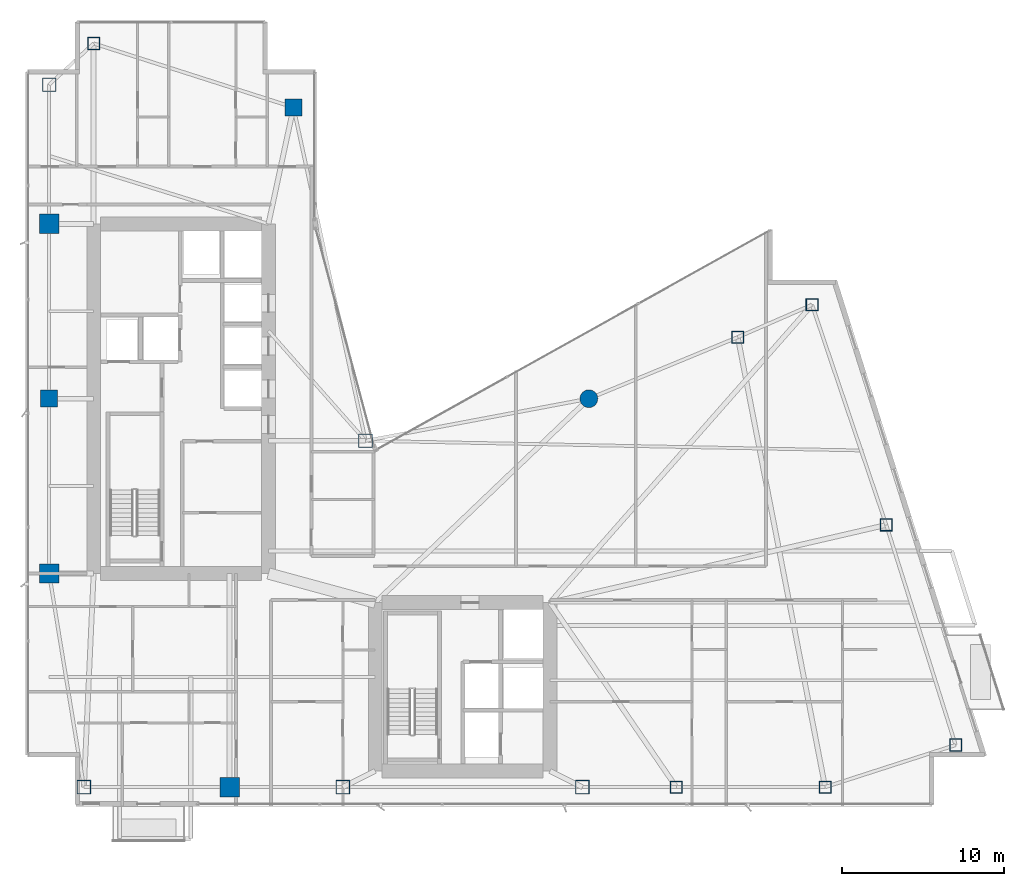
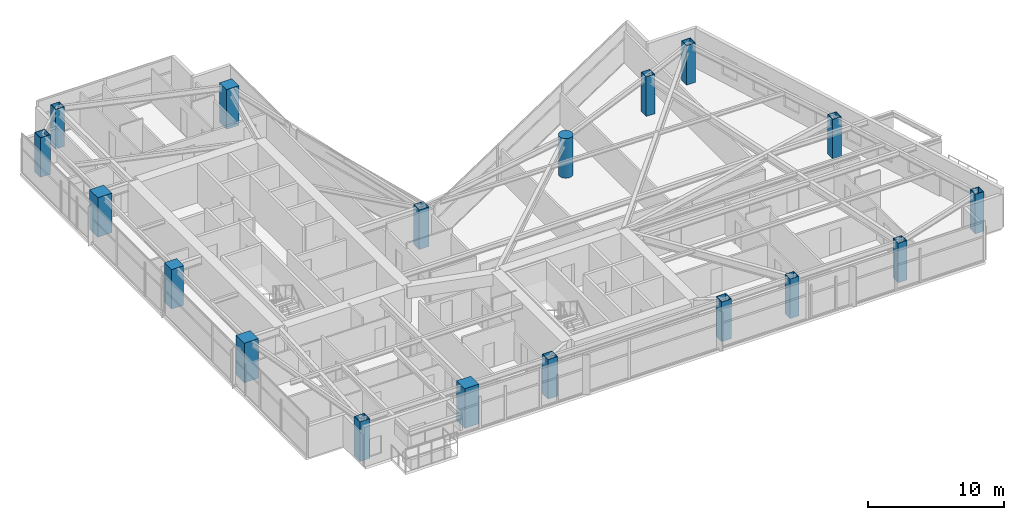
# One storey, part 1 of 28: 18 columns.
"""IFC4 building model written with IfcOpenShell, lengths in metres."""

from ifc_helpers import new_model, si_unit, direction, frame, origin, origin_2d, place, context, subcontext, project, spatial, rectangle, hollow_rectangle, circle, extrude, material, material_profile, profile_set, type_object, element, save


model = new_model("IFC4")

# Units and contexts
model_context = context("Model", 3, precision=1e-05, world=origin(), true_north=direction((0.0, 1.0)))
body_context = subcontext(model_context, "Body", "Model", "MODEL_VIEW")
ifc_project = project(units=[si_unit("LENGTHUNIT", "METRE"), si_unit("AREAUNIT", "SQUARE_METRE"), si_unit("VOLUMEUNIT", "CUBIC_METRE"), si_unit("PLANEANGLEUNIT", "RADIAN"), si_unit("MASSUNIT", "GRAM", prefix="KILO")], contexts=[model_context])

# Site, building, storey
site_placement = place(None, origin())
site = spatial("IfcSite", under=ifc_project, at=site_placement, CompositionType="ELEMENT")
building_placement = place(site_placement, origin())
building = spatial("IfcBuilding", under=site, at=building_placement, Name="Calvorn Quay Hotel", CompositionType="ELEMENT")
storey_placement = place(building_placement, frame((0.0, 0.0, 101.199951171875)))
storey = spatial("IfcBuildingStorey", under=building, at=storey_placement, Name="L24", CompositionType="ELEMENT", Elevation=101.199951171875)

# Columns
ifc_material_1 = material(Name="Concrete C50", Category="concrete")
ifc_material_profile_1 = material_profile(ifc_material_1, rectangle(XDim=1.050048828125, YDim=1.050048828125, at=origin_2d()), Name="RC1050x1050")
ifc_profile_set_1 = profile_set([ifc_material_profile_1], Name="Concrete C50")
column_type_1 = type_object("IfcColumnType", Name="COL-RC-1050", PredefinedType="COLUMN", material=ifc_profile_set_1)
for number, where, z_axis, x_axis, name in (
    (1, (1.449951171875, 27.60009765625, 0.0), (0.0, 0.0, 1.0), (1.0, 0.0, 0.0), "Column C-W3 (L24)"),
    (2, (16.550048828125, 45.60009765625, 0.0), (0.0, 0.0, 1.0), (1.0, 0.0, 0.0), "Column C-IC1 (L24)"),
):
    element("IfcColumn", number, at=place(storey_placement, frame(where, z_axis=z_axis, x_axis=x_axis)), inside=storey, type_object=column_type_1, Name=name, PredefinedType="COLUMN", context=body_context, shape_type="SweptSolid", body=[
        extrude(rectangle(XDim=1.050048828125, YDim=1.050048828125, at=origin_2d()), origin(), (0.0, 0.0, 1.0), 3.56005859375),
    ])
ifc_material_2 = material(Name="Concrete C50", Category="concrete")
ifc_material_profile_2 = material_profile(ifc_material_2, rectangle(XDim=1.199951171875, YDim=1.199951171875, at=origin_2d()), Name="RC1200x1200")
ifc_profile_set_2 = profile_set([ifc_material_profile_2], Name="Concrete C50")
column_type_2 = type_object("IfcColumnType", Name="COL-RC-1200", PredefinedType="COLUMN", material=ifc_profile_set_2)
for number, where, z_axis, x_axis, name in (
    (3, (1.449951171875, 16.800048828125, 0.0), (0.0, 0.0, 1.0), (1.0, 0.0, 0.0), "Column C-W2 (L24)"),
    (4, (1.449951171875, 38.39990234375, 0.0), (0.0, 0.0, 1.0), (1.0, 0.0, 0.0), "Column C-W4 (L24)"),
    (5, (12.60009765625, 3.60009765625, 0.0), (0.0, 0.0, 1.0), (1.0, 0.0, 0.0), "Column C-S1 (L24)"),
):
    element("IfcColumn", number, at=place(storey_placement, frame(where, z_axis=z_axis, x_axis=x_axis)), inside=storey, type_object=column_type_2, Name=name, PredefinedType="COLUMN", context=body_context, shape_type="SweptSolid", body=[
        extrude(rectangle(XDim=1.199951171875, YDim=1.199951171875, at=origin_2d()), origin(), (0.0, 0.0, 1.0), 3.56005859375),
    ])
ifc_material_3 = material(Name="Concrete C50", Category="concrete")
ifc_material_profile_3 = material_profile(ifc_material_3, circle(Radius=0.550048828125, at=origin_2d()), Name="RCD1100")
ifc_profile_set_3 = profile_set([ifc_material_profile_3], Name="Concrete C50")
column_type_3 = type_object("IfcColumnType", Name="COL-RC-D1100", PredefinedType="COLUMN", material=ifc_profile_set_3)
column_placement = place(storey_placement, frame((34.800048828125, 27.60009765625, 0.0), z_axis=(0.0, 0.0, 1.0), x_axis=(1.0, 0.0, 0.0)))
element("IfcColumn", 6, at=column_placement, inside=storey, type_object=column_type_3, Name="Column C-NC1 (L24)", PredefinedType="COLUMN", context=body_context, shape_type="SweptSolid", body=[
    extrude(circle(Radius=0.550048828125, at=origin_2d()), origin(), (0.0, 0.0, 1.0), 3.56005859375),
])
ifc_material_4 = material(Name="Steel Q390GJC", Category="steel")
ifc_material_profile_4 = material_profile(ifc_material_4, hollow_rectangle(XDim=0.85009765625, YDim=0.85009765625, WallThickness=0.035888671875, at=origin_2d()), Name="BOX850x850x36")
ifc_profile_set_4 = profile_set([ifc_material_profile_4], Name="Steel Q390GJC")
column_type_4 = type_object("IfcColumnType", Name="COL-STL-Z2", PredefinedType="COLUMN", material=ifc_profile_set_4)
for number, where, z_axis, x_axis, name in (
    (7, (3.60009765625, 3.60009765625, 0.0), (0.0, 0.0, 1.0), (1.0, 0.0, 0.0), "Column C-W1 (L24)"),
    (8, (1.449951171875, 47.0, 0.0), (0.0, 0.0, 1.0), (1.0, 0.0, 0.0), "Column C-W5 (L24)"),
    (9, (21.0, 25.0, 0.0), (0.0, 0.0, 1.0), (1.0, 0.0, 0.0), "Column C-IC2 (L24)"),
    (10, (19.60009765625, 3.60009765625, 0.0), (0.0, 0.0, 1.0), (1.0, 0.0, 0.0), "Column C-S2 (L24)"),
    (11, (34.39990234375, 3.60009765625, 0.0), (0.0, 0.0, 1.0), (1.0, 0.0, 0.0), "Column C-S3 (L24)"),
):
    element("IfcColumn", number, at=place(storey_placement, frame(where, z_axis=z_axis, x_axis=x_axis)), inside=storey, type_object=column_type_4, Name=name, PredefinedType="COLUMN", context=body_context, shape_type="SweptSolid", body=[
        extrude(hollow_rectangle(XDim=0.85009765625, YDim=0.85009765625, WallThickness=0.035888671875, at=origin_2d()), origin(), (0.0, 0.0, 1.0), 3.56005859375),
    ])
ifc_material_5 = material(Name="Steel Q390GJC", Category="steel")
ifc_material_profile_5 = material_profile(ifc_material_5, hollow_rectangle(XDim=0.75, YDim=0.75, WallThickness=0.031982421875, at=origin_2d()), Name="BOX750x750x32")
ifc_profile_set_5 = profile_set([ifc_material_profile_5], Name="Steel Q390GJC")
column_type_5 = type_object("IfcColumnType", Name="COL-STL-Z3", PredefinedType="COLUMN", material=ifc_profile_set_5)
for number, where, z_axis, x_axis, name in (
    (12, (4.199951171875, 49.550048828125, 0.0), (0.0, 0.0, 1.0), (1.0, 0.0, 0.0), "Column C-NW1 (L24)"),
    (13, (40.199951171875, 3.60009765625, 0.0), (0.0, 0.0, 1.0), (1.0, 0.0, 0.0), "Column C-S4 (L24)"),
    (14, (49.39990234375, 3.60009765625, 0.0), (0.0, 0.0, 1.0), (1.0, 0.0, 0.0), "Column C-S5 (L24)"),
    (15, (44.0, 31.39990234375, 0.0), (0.0, 0.0, 1.0), (1.0, 0.0, 0.0), "Column C-NC2 (L24)"),
    (16, (57.4609375, 6.199951171875, 0.0), (0.0, 0.0, 1.0), (1.0, 0.0, 0.0), "Column C-ET1 (L24)"),
    (17, (53.176025390625, 19.800048828125, 0.0), (0.0, 0.0, 1.0), (1.0, 0.0, 0.0), "Column C-ET2 (L24)"),
    (18, (48.591064453125, 33.39990234375, 0.0), (0.0, 0.0, 1.0), (1.0, 0.0, 0.0), "Column C-ET3 (L24)"),
):
    element("IfcColumn", number, at=place(storey_placement, frame(where, z_axis=z_axis, x_axis=x_axis)), inside=storey, type_object=column_type_5, Name=name, PredefinedType="COLUMN", context=body_context, shape_type="SweptSolid", body=[
        extrude(hollow_rectangle(XDim=0.75, YDim=0.75, WallThickness=0.031982421875, at=origin_2d()), origin(), (0.0, 0.0, 1.0), 3.56005859375),
    ])

save(model, "model.ifc")
